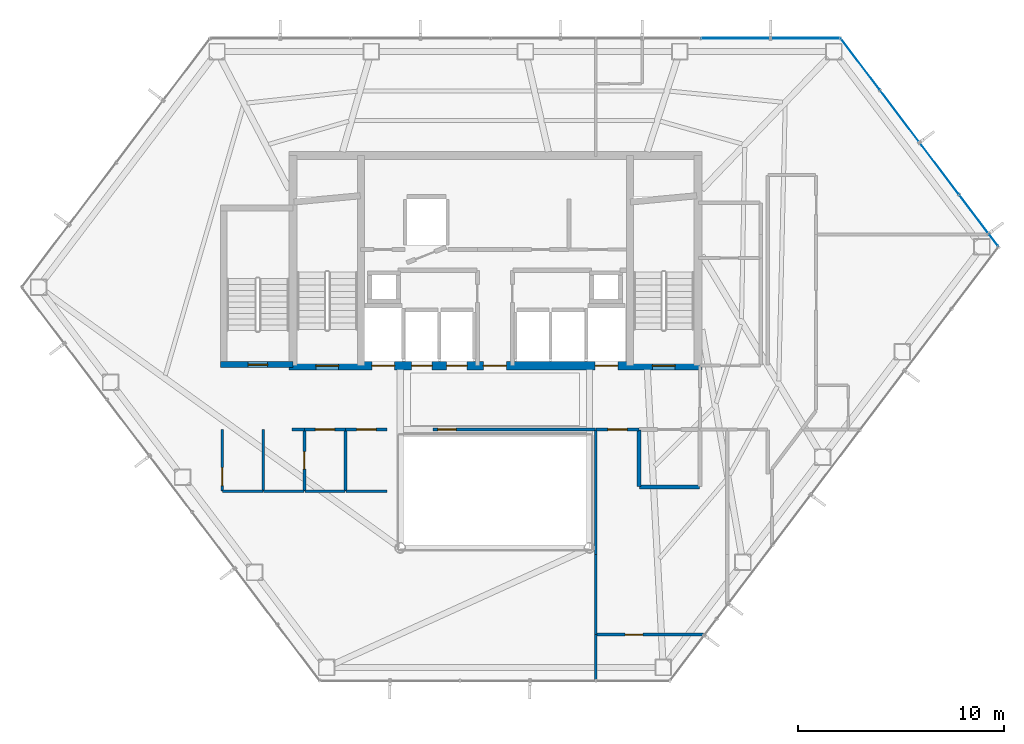
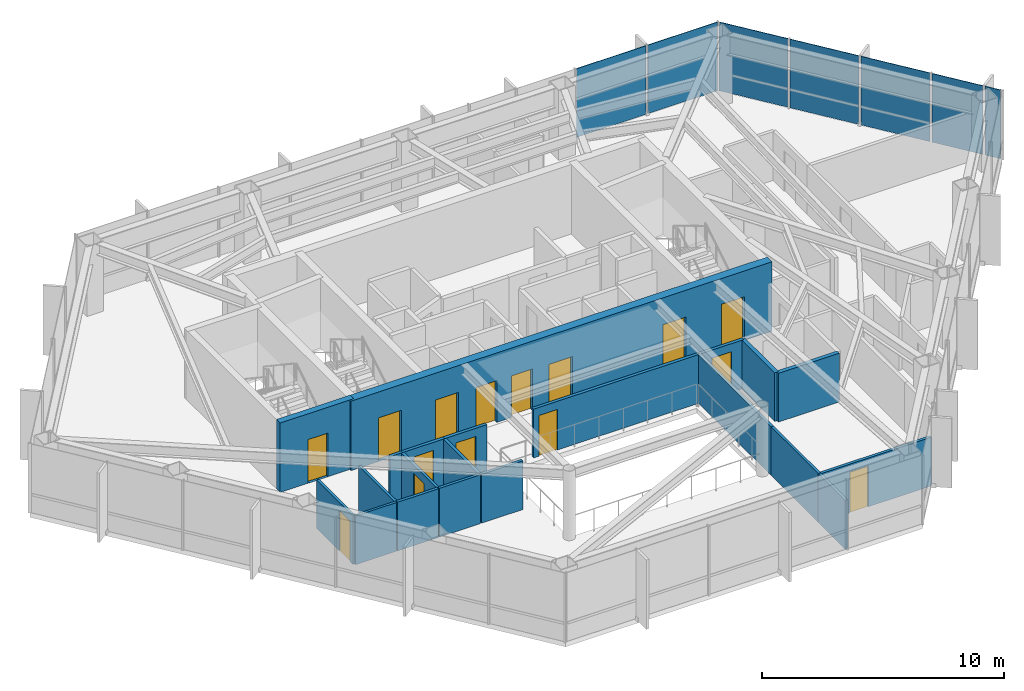
# One storey, part 25 of 29: 21 walls, 15 doors, 7 plates, 15 openings, 2 elements without a shape of their own.
"""IFC4 building model written with IfcOpenShell, lengths in metres."""

from ifc_helpers import new_model, si_unit, direction, frame, frame_2d, origin, origin_2d, place, context, subcontext, project, spatial, rectangle, extrude, material, layer, layer_set, type_object, element, fill, aggregate, save


model = new_model("IFC4")

# Units and contexts
model_context = context("Model", 3, precision=1e-05, world=origin(), true_north=direction((0.0, 1.0)))
body_context = subcontext(model_context, "Body", "Model", "MODEL_VIEW")
ifc_project = project(units=[si_unit("LENGTHUNIT", "METRE"), si_unit("AREAUNIT", "SQUARE_METRE"), si_unit("VOLUMEUNIT", "CUBIC_METRE"), si_unit("PLANEANGLEUNIT", "RADIAN"), si_unit("MASSUNIT", "GRAM", prefix="KILO")], contexts=[model_context])

# Site, building, storey
site_placement = place(None, origin())
site = spatial("IfcSite", under=ifc_project, at=site_placement, CompositionType="ELEMENT")
building_placement = place(site_placement, origin())
building = spatial("IfcBuilding", under=site, at=building_placement, Name="Zarrinselat Tower", CompositionType="ELEMENT")
storey_placement = place(building_placement, frame((0.0, 0.0, 134.639892578125)))
storey = spatial("IfcBuildingStorey", under=building, at=storey_placement, Name="L32", CompositionType="ELEMENT", Elevation=134.639892578125)

# Curtain wall, plates
ifc_material_1 = material(Name="Extruded Aluminium Alloy EN AW-6063 T6", Category="aluminium")
ifc_layer_1 = layer(ifc_material_1, 0.175048828125)
ifc_layer_set_1 = layer_set([ifc_layer_1], Name="Extruded Aluminium Alloy EN AW-6063 T6")
curtain_wall_type = type_object("IfcCurtainWallType", Name="CWS-HTL", PredefinedType="NOTDEFINED", material=ifc_layer_set_1)
curtain_wall_1_placement = place(storey_placement, origin())
curtain_wall_1 = element("IfcCurtainWall", 1, at=curtain_wall_1_placement, inside=storey, type_object=curtain_wall_type, Name="L32 Unitised Curtain Wall CW-L32-E01", PredefinedType="NOTDEFINED")
ifc_material_2 = material(Name="Double Low-E Laminated Solar Glass", Category="glass")
ifc_layer_2 = layer(ifc_material_2, 0.028076171875)
ifc_layer_set_2 = layer_set([ifc_layer_2], Name="Double Low-E Laminated Solar Glass")
plate_type = type_object("IfcPlateType", Name="PLT-CW-GL28", PredefinedType="CURTAIN_PANEL", material=ifc_layer_set_2)
plate_1_placement = place(storey_placement, frame((53.487548828125, 49.14990234375, 0.02001953125), z_axis=(0.0, 0.0, 1.0), x_axis=(-1.0, 0.0, 0.0)))
plate_1 = element("IfcPlate", 2, at=plate_1_placement, type_object=plate_type, Name="CW-L32-E01 Vision Glass Panel 1", PredefinedType="CURTAIN_PANEL", context=body_context, shape_type="SweptSolid", body=[
    extrude(rectangle(XDim=3.30078125, YDim=0.028076171875, at=origin_2d()), origin(), (0.0, 0.0, 1.0), 3.4599609375),
])
plate_2_placement = place(storey_placement, frame((50.0869140625, 49.14990234375, 0.02001953125), z_axis=(0.0, 0.0, 1.0), x_axis=(-1.0, 0.0, 0.0)))
plate_2 = element("IfcPlate", 3, at=plate_2_placement, type_object=plate_type, Name="CW-L32-E01 Vision Glass Panel 2", PredefinedType="CURTAIN_PANEL", context=body_context, shape_type="SweptSolid", body=[
    extrude(rectangle(XDim=3.30078125, YDim=0.028076171875, at=origin_2d()), origin(), (0.0, 0.0, 1.0), 3.4599609375),
])
aggregate(curtain_wall_1, [plate_1, plate_2])

curtain_wall_2_placement = place(storey_placement, origin())
curtain_wall_2 = element("IfcCurtainWall", 4, at=curtain_wall_2_placement, inside=storey, type_object=curtain_wall_type, Name="L32 Unitised Curtain Wall CW-L32-E06", PredefinedType="NOTDEFINED")
plate_3_placement = place(storey_placement, frame((62.62109375, 39.338134765625, 0.02001953125), z_axis=(0.0, 0.0, 1.0), x_axis=(-0.60385935447, 0.79709088567, 0.0)))
plate_3 = element("IfcPlate", 5, at=plate_3_placement, type_object=plate_type, Name="CW-L32-E06 Vision Glass Panel 1", PredefinedType="CURTAIN_PANEL", context=body_context, shape_type="SweptSolid", body=[
    extrude(rectangle(XDim=0.697998046875, YDim=0.028076171875, at=origin_2d()), origin(), (0.0, 0.0, 1.0), 3.4599609375),
])
plate_4_placement = place(storey_placement, frame((61.662109375, 40.6044921875, 0.02001953125), z_axis=(0.0, 0.0, 1.0), x_axis=(-0.60385935447, 0.79709088567, 0.0)))
plate_4 = element("IfcPlate", 6, at=plate_4_placement, type_object=plate_type, Name="CW-L32-E06 Vision Glass Panel 2", PredefinedType="CURTAIN_PANEL", context=body_context, shape_type="SweptSolid", body=[
    extrude(rectangle(XDim=2.279052734375, YDim=0.028076171875, at=origin_2d()), origin(), (0.0, 0.0, 1.0), 3.4599609375),
])
plate_5_placement = place(storey_placement, frame((59.984375, 42.81884765625, 0.02001953125), z_axis=(0.0, 0.0, 1.0), x_axis=(-0.60385935447, 0.79709088567, 0.0)))
plate_5 = element("IfcPlate", 7, at=plate_5_placement, type_object=plate_type, Name="CW-L32-E06 Vision Glass Panel 3", PredefinedType="CURTAIN_PANEL", context=body_context, shape_type="SweptSolid", body=[
    extrude(rectangle(XDim=3.0771484375, YDim=0.028076171875, at=origin_2d()), origin(), (0.0, 0.0, 1.0), 3.4599609375),
])
plate_6_placement = place(storey_placement, frame((58.06591796875, 45.351318359375, 0.02001953125), z_axis=(0.0, 0.0, 1.0), x_axis=(-0.60385935447, 0.79709088567, 0.0)))
plate_6 = element("IfcPlate", 8, at=plate_6_placement, type_object=plate_type, Name="CW-L32-E06 Vision Glass Panel 4", PredefinedType="CURTAIN_PANEL", context=body_context, shape_type="SweptSolid", body=[
    extrude(rectangle(XDim=3.0771484375, YDim=0.028076171875, at=origin_2d()), origin(), (0.0, 0.0, 1.0), 3.4599609375),
])
plate_7_placement = place(storey_placement, frame((56.147216796875, 47.8837890625, 0.02001953125), z_axis=(0.0, 0.0, 1.0), x_axis=(-0.60385935447, 0.79709088567, 0.0)))
plate_7 = element("IfcPlate", 9, at=plate_7_placement, type_object=plate_type, Name="CW-L32-E06 Vision Glass Panel 5", PredefinedType="CURTAIN_PANEL", context=body_context, shape_type="SweptSolid", body=[
    extrude(rectangle(XDim=3.0771484375, YDim=0.028076171875, at=origin_2d()), origin(), (0.0, 0.0, 1.0), 3.4599609375),
])
aggregate(curtain_wall_2, [plate_3, plate_4, plate_5, plate_6, plate_7])

# Walls
ifc_material_3 = material(Name="Concrete C40/50", Category="concrete")
ifc_layer_3 = layer(ifc_material_3, 0.18994140625)
ifc_layer_set_3 = layer_set([ifc_layer_3], Name="Concrete C40/50")
wall_type_1 = type_object("IfcWallType", Name="WAL-PART-EI120", PredefinedType="PARTITIONING", material=ifc_layer_set_3)
wall_1_placement = place(storey_placement, frame((45.419921875, 27.35009765625, 0.0), z_axis=(0.0, 0.0, 1.0), x_axis=(1.0, 0.0, 0.0)))
element("IfcWall", 10, at=wall_1_placement, inside=storey, type_object=wall_type_1, Name="L32 Partition Wall 19", PredefinedType="PARTITIONING", context=body_context, shape_type="SweptSolid", body=[
    extrude(rectangle(XDim=2.91015625, YDim=0.18994140625, at=frame_2d((1.455078125, 0.0))), origin(), (0.0, 0.0, 1.0), 2.45703125),
])
wall_2_placement = place(storey_placement, frame((45.39990234375, 27.3701171875, 0.0), z_axis=(0.0, 0.0, 1.0), x_axis=(0.0, 1.0, 0.0)))
element("IfcWall", 11, at=wall_2_placement, inside=storey, type_object=wall_type_1, Name="L32 Partition Wall 20", PredefinedType="PARTITIONING", context=body_context, shape_type="SweptSolid", body=[
    extrude(rectangle(XDim=2.759765625, YDim=0.18994140625, at=frame_2d((1.3798828125, 0.0))), origin(), (0.0, 0.0, 1.0), 2.45703125),
])
ifc_material_4 = material(Name="Fire-Rated Gypsum Board Partition", Category="gypsum")
ifc_layer_4 = layer(ifc_material_4, 0.14990234375)
ifc_layer_set_4 = layer_set([ifc_layer_4], Name="Fire-Rated Gypsum Board Partition")
wall_type_2 = type_object("IfcWallType", Name="WAL-PART-EI60", PredefinedType="PARTITIONING", material=ifc_layer_set_4)
wall_3_placement = place(storey_placement, frame((28.550048828125, 30.14990234375, 0.0), z_axis=(0.0, 0.0, 1.0), x_axis=(1.0, 0.0, 0.0)))
element("IfcWall", 12, at=wall_3_placement, inside=storey, type_object=wall_type_2, Name="L32 Partition Wall 14", PredefinedType="PARTITIONING", context=body_context, shape_type="SweptSolid", body=[
    extrude(rectangle(XDim=0.594970703125, YDim=0.14990234375, at=frame_2d((0.29736328125, 0.0))), origin(), (0.0, 0.0, 1.0), 2.45703125),
])

# Wall, opening, door
wall_4_placement = place(storey_placement, frame((29.155029296875, 30.14990234375, 0.0), z_axis=(0.0, 0.0, 1.0), x_axis=(1.0, 0.0, 0.0)))
wall_4 = element("IfcWall", 13, at=wall_4_placement, inside=storey, type_object=wall_type_2, Name="L32 Partition Wall 15", PredefinedType="PARTITIONING", context=body_context, shape_type="SweptSolid", body=[
    extrude(rectangle(XDim=1.989990234375, YDim=0.14990234375, at=frame_2d((0.9951171875, 0.0))), origin(), (0.0, 0.0, 1.0), 2.45703125),
])
opening_1_placement = place(wall_4_placement, frame((0.52490234375, 0.0, 0.0)))
opening_1 = element("IfcOpeningElement", 14, at=opening_1_placement, cuts=wall_4, Name="Opening ID-04", PredefinedType="OPENING", context=body_context, shape_type="SweptSolid", body=[
    extrude(rectangle(XDim=0.93994140625, YDim=2.050048828125, at=frame_2d((0.469970703125, 1.02490234375))), frame((0.0, 0.0849609375, 0.0), z_axis=(0.0, -1.0, 0.0), x_axis=(1.0, 0.0, 0.0)), (0.0, 0.0, 1.0), 0.169921875),
])
ifc_material_5 = material(Name="Fire-Rated Gypsum Board Partition")
door_type_1 = type_object("IfcDoorType", Name="DR-INT-FD30-ENT", OperationType="NOTDEFINED", PredefinedType="DOOR", material=ifc_material_5)
door_1_placement = place(opening_1_placement, origin())
door_1 = element("IfcDoor", 15, at=door_1_placement, inside=storey, type_object=door_type_1, Name="L32 Interior Door P15", OperationType="SINGLE_SWING_RIGHT", OverallHeight=2.050048828125, OverallWidth=0.93994140625, PredefinedType="DOOR", context=body_context, shape_type="SweptSolid", body=[
    extrude(rectangle(XDim=0.93994140625, YDim=2.050048828125, at=frame_2d((0.469970703125, 1.02490234375))), frame((0.0, 0.02490234375, 0.0), z_axis=(0.0, -1.0, 0.0), x_axis=(1.0, 0.0, 0.0)), (0.0, 0.0, 1.0), 0.050048828125),
])
fill(opening_1, door_1)

wall_5_placement = place(storey_placement, frame((31.155029296875, 30.14990234375, 0.0), z_axis=(0.0, 0.0, 1.0), x_axis=(1.0, 0.0, 0.0)))
wall_5 = element("IfcWall", 16, at=wall_5_placement, inside=storey, type_object=wall_type_2, Name="L32 Partition Wall 16", PredefinedType="PARTITIONING", context=body_context, shape_type="SweptSolid", body=[
    extrude(rectangle(XDim=2.010009765625, YDim=0.14990234375, at=frame_2d((1.0048828125, 0.0))), origin(), (0.0, 0.0, 1.0), 2.45703125),
])
opening_2_placement = place(wall_5_placement, frame((0.534912109375, 0.0, 0.0)))
opening_2 = element("IfcOpeningElement", 17, at=opening_2_placement, cuts=wall_5, Name="Opening ID-04", PredefinedType="OPENING", context=body_context, shape_type="SweptSolid", body=[
    extrude(rectangle(XDim=0.93994140625, YDim=2.050048828125, at=frame_2d((0.469970703125, 1.02490234375))), frame((0.0, 0.0849609375, 0.0), z_axis=(0.0, -1.0, 0.0), x_axis=(1.0, 0.0, 0.0)), (0.0, 0.0, 1.0), 0.169921875),
])
door_2_placement = place(opening_2_placement, origin())
door_2 = element("IfcDoor", 18, at=door_2_placement, inside=storey, type_object=door_type_1, Name="L32 Interior Door P16", OperationType="SINGLE_SWING_LEFT", OverallHeight=2.050048828125, OverallWidth=0.93994140625, PredefinedType="DOOR", context=body_context, shape_type="SweptSolid", body=[
    extrude(rectangle(XDim=0.93994140625, YDim=2.050048828125, at=frame_2d((0.469970703125, 1.02490234375))), frame((0.0, 0.02490234375, 0.0), z_axis=(0.0, -1.0, 0.0), x_axis=(1.0, 0.0, 0.0)), (0.0, 0.0, 1.0), 0.050048828125),
])
fill(opening_2, door_2)

wall_6_placement = place(storey_placement, frame((35.385009765625, 30.14990234375, 0.0), z_axis=(0.0, 0.0, 1.0), x_axis=(1.0, 0.0, 0.0)))
wall_6 = element("IfcWall", 19, at=wall_6_placement, inside=storey, type_object=wall_type_2, Name="L32 Partition Wall 17", PredefinedType="PARTITIONING", context=body_context, shape_type="SweptSolid", body=[
    extrude(rectangle(XDim=7.909912109375, YDim=0.14990234375, at=frame_2d((3.955078125, 0.0))), origin(), (0.0, 0.0, 1.0), 2.45703125),
])
opening_3_placement = place(wall_6_placement, frame((0.25, 0.0, 0.0)))
opening_3 = element("IfcOpeningElement", 20, at=opening_3_placement, cuts=wall_6, Name="Opening ID-03", PredefinedType="OPENING", context=body_context, shape_type="SweptSolid", body=[
    extrude(rectangle(XDim=0.8798828125, YDim=2.050048828125, at=frame_2d((0.43994140625, 1.02490234375))), frame((0.0, 0.0849609375, 0.0), z_axis=(0.0, -1.0, 0.0), x_axis=(1.0, 0.0, 0.0)), (0.0, 0.0, 1.0), 0.169921875),
])
ifc_material_6 = material(Name="Steel S355J2", Category="steel")
door_type_2 = type_object("IfcDoorType", Name="DR-INT-FD60-S", OperationType="NOTDEFINED", PredefinedType="DOOR", material=ifc_material_6)
door_3_placement = place(opening_3_placement, origin())
door_3 = element("IfcDoor", 21, at=door_3_placement, inside=storey, type_object=door_type_2, Name="L32 Interior Door P17", OperationType="SINGLE_SWING_RIGHT", OverallHeight=2.050048828125, OverallWidth=0.8798828125, PredefinedType="DOOR", context=body_context, shape_type="SweptSolid", body=[
    extrude(rectangle(XDim=0.8798828125, YDim=2.050048828125, at=frame_2d((0.43994140625, 1.02490234375))), frame((0.0, 0.02490234375, 0.0), z_axis=(0.0, -1.0, 0.0), x_axis=(1.0, 0.0, 0.0)), (0.0, 0.0, 1.0), 0.050048828125),
])
fill(opening_3, door_3)

wall_7_placement = place(storey_placement, frame((43.304931640625, 30.14990234375, 0.0), z_axis=(0.0, 0.0, 1.0), x_axis=(1.0, 0.0, 0.0)))
wall_7 = element("IfcWall", 22, at=wall_7_placement, inside=storey, type_object=wall_type_2, Name="L32 Partition Wall 18", PredefinedType="PARTITIONING", context=body_context, shape_type="SweptSolid", body=[
    extrude(rectangle(XDim=2.090087890625, YDim=0.14990234375, at=frame_2d((1.044921875, 0.0))), origin(), (0.0, 0.0, 1.0), 2.45703125),
])
opening_4_placement = place(wall_7_placement, frame((0.574951171875, 0.0, 0.0)))
opening_4 = element("IfcOpeningElement", 23, at=opening_4_placement, cuts=wall_7, Name="Opening ID-04", PredefinedType="OPENING", context=body_context, shape_type="SweptSolid", body=[
    extrude(rectangle(XDim=0.93994140625, YDim=2.050048828125, at=frame_2d((0.469970703125, 1.02490234375))), frame((0.0, 0.0849609375, 0.0), z_axis=(0.0, -1.0, 0.0), x_axis=(1.0, 0.0, 0.0)), (0.0, 0.0, 1.0), 0.169921875),
])
door_4_placement = place(opening_4_placement, origin())
door_4 = element("IfcDoor", 24, at=door_4_placement, inside=storey, type_object=door_type_1, Name="L32 Interior Door P18", OperationType="SINGLE_SWING_LEFT", OverallHeight=2.050048828125, OverallWidth=0.93994140625, PredefinedType="DOOR", context=body_context, shape_type="SweptSolid", body=[
    extrude(rectangle(XDim=0.93994140625, YDim=2.050048828125, at=frame_2d((0.469970703125, 1.02490234375))), frame((0.0, 0.02490234375, 0.0), z_axis=(0.0, -1.0, 0.0), x_axis=(1.0, 0.0, 0.0)), (0.0, 0.0, 1.0), 0.050048828125),
])
fill(opening_4, door_4)

# Wall
ifc_material_7 = material(Name="Fire-Rated Gypsum Board Partition", Category="gypsum")
ifc_layer_5 = layer(ifc_material_7, 0.1201171875)
ifc_layer_set_5 = layer_set([ifc_layer_5], Name="Fire-Rated Gypsum Board Partition")
wall_type_3 = type_object("IfcWallType", Name="WAL-PART-STD", PredefinedType="PARTITIONING", material=ifc_layer_set_5)
wall_8_placement = place(storey_placement, frame((25.169921875, 27.14990234375, 0.0), z_axis=(0.0, 0.0, 1.0), x_axis=(1.0, 0.0, 0.0)))
element("IfcWall", 25, at=wall_8_placement, inside=storey, type_object=wall_type_3, Name="L32 Partition Wall 35", PredefinedType="PARTITIONING", context=body_context, shape_type="SweptSolid", body=[
    extrude(rectangle(XDim=1.9599609375, YDim=0.1201171875, at=frame_2d((0.97998046875, 0.0))), origin(), (0.0, 0.0, 1.0), 2.45703125),
])

# Wall, opening, door
wall_9_placement = place(storey_placement, frame((25.14990234375, 27.169921875, 0.0), z_axis=(0.0, 0.0, 1.0), x_axis=(0.0, 1.0, 0.0)))
wall_9 = element("IfcWall", 26, at=wall_9_placement, inside=storey, type_object=wall_type_3, Name="L32 Partition Wall 36", PredefinedType="PARTITIONING", context=body_context, shape_type="SweptSolid", body=[
    extrude(rectangle(XDim=2.97998046875, YDim=0.1201171875, at=frame_2d((1.489990234375, 0.0))), origin(), (0.0, 0.0, 1.0), 2.45703125),
])
opening_5_placement = place(wall_9_placement, frame((0.25, 0.0, 0.0)))
opening_5 = element("IfcOpeningElement", 27, at=opening_5_placement, cuts=wall_9, Name="Opening ID-03", PredefinedType="OPENING", context=body_context, shape_type="SweptSolid", body=[
    extrude(rectangle(XDim=0.8798828125, YDim=2.050048828125, at=frame_2d((0.43994140625, 1.02490234375))), frame((0.0, 0.070068359375, 0.0), z_axis=(0.0, -1.0, 0.0), x_axis=(1.0, 0.0, 0.0)), (0.0, 0.0, 1.0), 0.14013671875),
])
door_5_placement = place(opening_5_placement, origin())
door_5 = element("IfcDoor", 28, at=door_5_placement, inside=storey, type_object=door_type_2, Name="L32 Interior Door P36", OperationType="SINGLE_SWING_RIGHT", OverallHeight=2.050048828125, OverallWidth=0.8798828125, PredefinedType="DOOR", context=body_context, shape_type="SweptSolid", body=[
    extrude(rectangle(XDim=0.8798828125, YDim=2.050048828125, at=frame_2d((0.43994140625, 1.02490234375))), frame((0.0, 0.02490234375, 0.0), z_axis=(0.0, -1.0, 0.0), x_axis=(1.0, 0.0, 0.0)), (0.0, 0.0, 1.0), 0.050048828125),
])
fill(opening_5, door_5)

# Walls
wall_10_placement = place(storey_placement, frame((43.300048828125, 24.077880859375, 0.0), z_axis=(0.0, 0.0, 1.0), x_axis=(0.0, 1.0, 0.0)))
element("IfcWall", 29, at=wall_10_placement, inside=storey, type_object=wall_type_3, Name="L32 Partition Wall 42", PredefinedType="PARTITIONING", context=body_context, shape_type="SweptSolid", body=[
    extrude(rectangle(XDim=6.052001953125, YDim=0.1201171875, at=frame_2d((3.02587890625, 0.0))), origin(), (0.0, 0.0, 1.0), 2.45703125),
])
wall_11_placement = place(storey_placement, frame((43.300048828125, 20.19677734375, 0.0), z_axis=(0.0, 0.0, 1.0), x_axis=(0.0, 1.0, 0.0)))
element("IfcWall", 30, at=wall_11_placement, inside=storey, type_object=wall_type_3, Name="L32 Partition Wall 43", PredefinedType="PARTITIONING", context=body_context, shape_type="SweptSolid", body=[
    extrude(rectangle(XDim=3.881103515625, YDim=0.1201171875, at=frame_2d((1.9404296875, 0.0))), origin(), (0.0, 0.0, 1.0), 2.45703125),
])
ifc_material_8 = material(Name="Fire-Rated Gypsum Board Partition", Category="gypsum")
ifc_layer_6 = layer(ifc_material_8, 0.135009765625)
ifc_layer_set_6 = layer_set([ifc_layer_6], Name="Fire-Rated Gypsum Board Partition")
wall_type_4 = type_object("IfcWallType", Name="WAL-PART-WET", PredefinedType="PARTITIONING", material=ifc_layer_set_6)
wall_12_placement = place(storey_placement, frame((27.14990234375, 27.169921875, 0.0), z_axis=(0.0, 0.0, 1.0), x_axis=(0.0, 1.0, 0.0)))
element("IfcWall", 31, at=wall_12_placement, inside=storey, type_object=wall_type_4, Name="L32 Partition Wall 34", PredefinedType="PARTITIONING", context=body_context, shape_type="SweptSolid", body=[
    extrude(rectangle(XDim=2.97998046875, YDim=0.135009765625, at=frame_2d((1.489990234375, 0.0))), origin(), (0.0, 0.0, 1.0), 2.45703125),
])

# Wall, opening, door
wall_13_placement = place(storey_placement, frame((29.14990234375, 27.169921875, 0.0), z_axis=(0.0, 0.0, 1.0), x_axis=(0.0, 1.0, 0.0)))
wall_13 = element("IfcWall", 32, at=wall_13_placement, inside=storey, type_object=wall_type_4, Name="L32 Partition Wall 37", PredefinedType="PARTITIONING", context=body_context, shape_type="SweptSolid", body=[
    extrude(rectangle(XDim=2.9599609375, YDim=0.135009765625, at=frame_2d((1.47998046875, 0.0))), origin(), (0.0, 0.0, 1.0), 2.45703125),
])
opening_6_placement = place(wall_13_placement, frame((1.050048828125, 0.0, 0.0)))
opening_6 = element("IfcOpeningElement", 33, at=opening_6_placement, cuts=wall_13, Name="Opening ID-06", PredefinedType="OPENING", context=body_context, shape_type="SweptSolid", body=[
    extrude(rectangle(XDim=0.860107421875, YDim=2.050048828125, at=frame_2d((0.43017578125, 1.02490234375))), frame((0.0, 0.077392578125, 0.0), z_axis=(0.0, -1.0, 0.0), x_axis=(1.0, 0.0, 0.0)), (0.0, 0.0, 1.0), 0.155029296875),
])
ifc_material_9 = material(Name="Extruded Aluminium Alloy EN AW-6063 T6", Category="aluminium")
door_type_3 = type_object("IfcDoorType", Name="DR-INT-WET-900", OperationType="NOTDEFINED", PredefinedType="DOOR", material=ifc_material_9)
door_6_placement = place(opening_6_placement, origin())
door_6 = element("IfcDoor", 34, at=door_6_placement, inside=storey, type_object=door_type_3, Name="L32 Interior Door P37", OperationType="SINGLE_SWING_LEFT", OverallHeight=2.050048828125, OverallWidth=0.860107421875, PredefinedType="DOOR", context=body_context, shape_type="SweptSolid", body=[
    extrude(rectangle(XDim=0.860107421875, YDim=2.050048828125, at=frame_2d((0.43017578125, 1.02490234375))), frame((0.0, 0.02490234375, 0.0), z_axis=(0.0, -1.0, 0.0), x_axis=(1.0, 0.0, 0.0)), (0.0, 0.0, 1.0), 0.050048828125),
])
fill(opening_6, door_6)

# Walls
wall_14_placement = place(storey_placement, frame((27.169921875, 27.14990234375, 0.0), z_axis=(0.0, 0.0, 1.0), x_axis=(1.0, 0.0, 0.0)))
element("IfcWall", 35, at=wall_14_placement, inside=storey, type_object=wall_type_4, Name="L32 Partition Wall 38", PredefinedType="PARTITIONING", context=body_context, shape_type="SweptSolid", body=[
    extrude(rectangle(XDim=1.9599609375, YDim=0.135009765625, at=frame_2d((0.97998046875, 0.0))), origin(), (0.0, 0.0, 1.0), 2.45703125),
])
wall_15_placement = place(storey_placement, frame((31.14990234375, 27.169921875, 0.0), z_axis=(0.0, 0.0, 1.0), x_axis=(0.0, 1.0, 0.0)))
element("IfcWall", 36, at=wall_15_placement, inside=storey, type_object=wall_type_4, Name="L32 Partition Wall 39", PredefinedType="PARTITIONING", context=body_context, shape_type="SweptSolid", body=[
    extrude(rectangle(XDim=2.9599609375, YDim=0.135009765625, at=frame_2d((1.47998046875, 0.0))), origin(), (0.0, 0.0, 1.0), 2.45703125),
])
wall_16_placement = place(storey_placement, frame((29.169921875, 27.14990234375, 0.0), z_axis=(0.0, 0.0, 1.0), x_axis=(1.0, 0.0, 0.0)))
element("IfcWall", 37, at=wall_16_placement, inside=storey, type_object=wall_type_4, Name="L32 Partition Wall 40", PredefinedType="PARTITIONING", context=body_context, shape_type="SweptSolid", body=[
    extrude(rectangle(XDim=1.9599609375, YDim=0.135009765625, at=frame_2d((0.97998046875, 0.0))), origin(), (0.0, 0.0, 1.0), 2.45703125),
])
wall_17_placement = place(storey_placement, frame((31.169921875, 27.14990234375, 0.0), z_axis=(0.0, 0.0, 1.0), x_axis=(1.0, 0.0, 0.0)))
element("IfcWall", 38, at=wall_17_placement, inside=storey, type_object=wall_type_4, Name="L32 Partition Wall 41", PredefinedType="PARTITIONING", context=body_context, shape_type="SweptSolid", body=[
    extrude(rectangle(XDim=1.97998046875, YDim=0.135009765625, at=frame_2d((0.989990234375, 0.0))), origin(), (0.0, 0.0, 1.0), 2.45703125),
])
wall_18_placement = place(storey_placement, frame((43.300048828125, 17.960693359375, 0.0), z_axis=(0.0, 0.0, 1.0), x_axis=(0.0, 1.0, 0.0)))
element("IfcWall", 39, at=wall_18_placement, inside=storey, type_object=wall_type_4, Name="L32 Partition Wall 44", PredefinedType="PARTITIONING", context=body_context, shape_type="SweptSolid", body=[
    extrude(rectangle(XDim=2.22607421875, YDim=0.135009765625, at=frame_2d((1.113037109375, 0.0))), origin(), (0.0, 0.0, 1.0), 2.45703125),
])

# Wall, opening, door
wall_19_placement = place(storey_placement, frame((43.320068359375, 20.19189453125, 0.0), z_axis=(0.0, 0.0, 1.0), x_axis=(1.0, 0.0, 0.0)))
wall_19 = element("IfcWall", 40, at=wall_19_placement, inside=storey, type_object=wall_type_4, Name="L32 Partition Wall 47", PredefinedType="PARTITIONING", context=body_context, shape_type="SweptSolid", body=[
    extrude(rectangle(XDim=5.263427734375, YDim=0.135009765625, at=frame_2d((2.6318359375, 0.0))), origin(), (0.0, 0.0, 1.0), 2.45703125),
])
opening_7_placement = place(wall_19_placement, frame((1.401611328125, 0.0, 0.0)))
opening_7 = element("IfcOpeningElement", 41, at=opening_7_placement, cuts=wall_19, Name="Opening ID-06", PredefinedType="OPENING", context=body_context, shape_type="SweptSolid", body=[
    extrude(rectangle(XDim=0.860107421875, YDim=2.050048828125, at=frame_2d((0.43017578125, 1.02490234375))), frame((0.0, 0.077392578125, 0.0), z_axis=(0.0, -1.0, 0.0), x_axis=(1.0, 0.0, 0.0)), (0.0, 0.0, 1.0), 0.155029296875),
])
door_7_placement = place(opening_7_placement, origin())
door_7 = element("IfcDoor", 42, at=door_7_placement, inside=storey, type_object=door_type_3, Name="L32 Interior Door P47", OperationType="SINGLE_SWING_RIGHT", OverallHeight=2.050048828125, OverallWidth=0.860107421875, PredefinedType="DOOR", context=body_context, shape_type="SweptSolid", body=[
    extrude(rectangle(XDim=0.860107421875, YDim=2.050048828125, at=frame_2d((0.43017578125, 1.02490234375))), frame((0.0, 0.02490234375, 0.0), z_axis=(0.0, -1.0, 0.0), x_axis=(1.0, 0.0, 0.0)), (0.0, 0.0, 1.0), 0.050048828125),
])
fill(opening_7, door_7)

ifc_material_10 = material(Name="Concrete C40/50", Category="concrete")
ifc_layer_7 = layer(ifc_material_10, 0.300048828125)
ifc_layer_set_7 = layer_set([ifc_layer_7], Name="Concrete C40/50")
wall_type_5 = type_object("IfcWallType", Name="WAL-SHEAR-300", PredefinedType="SHEAR", material=ifc_layer_set_7)
wall_20_placement = place(storey_placement, frame((25.080078125, 33.300048828125, 0.0), z_axis=(0.0, 0.0, 1.0), x_axis=(1.0, 0.0, 0.0)))
wall_20 = element("IfcWall", 43, at=wall_20_placement, inside=storey, type_object=wall_type_5, Name="L32 Stair 3 South Shear Wall", PredefinedType="SHEAR", context=body_context, shape_type="SweptSolid", body=[
    extrude(rectangle(XDim=3.52001953125, YDim=0.300048828125, at=frame_2d((1.760009765625, 0.0))), origin(), (0.0, 0.0, 1.0), 3.5),
])
opening_8_placement = place(wall_20_placement, frame((1.3349609375, 0.0, 0.0)))
opening_8 = element("IfcOpeningElement", 44, at=opening_8_placement, cuts=wall_20, Name="Opening SD-02", PredefinedType="OPENING", context=body_context, shape_type="SweptSolid", body=[
    extrude(rectangle(XDim=0.949951171875, YDim=2.199951171875, at=frame_2d((0.47509765625, 1.10009765625))), frame((0.0, 0.159912109375, 0.0), z_axis=(0.0, -1.0, 0.0), x_axis=(1.0, 0.0, 0.0)), (0.0, 0.0, 1.0), 0.320068359375),
])
ifc_material_11 = material(Name="Steel S355J2", Category="steel")
door_type_4 = type_object("IfcDoorType", Name="DR-STAIR-1050", OperationType="NOTDEFINED", PredefinedType="DOOR", material=ifc_material_11)
door_8_placement = place(opening_8_placement, origin())
door_8 = element("IfcDoor", 45, at=door_8_placement, inside=storey, type_object=door_type_4, Name="L32 Exit Stair 3 Fire Door", OperationType="SINGLE_SWING_LEFT", OverallHeight=2.199951171875, OverallWidth=0.949951171875, PredefinedType="DOOR", context=body_context, shape_type="SweptSolid", body=[
    extrude(rectangle(XDim=0.949951171875, YDim=2.199951171875, at=frame_2d((0.47509765625, 1.10009765625))), frame((0.0, 0.02490234375, 0.0), z_axis=(0.0, -1.0, 0.0), x_axis=(1.0, 0.0, 0.0)), (0.0, 0.0, 1.0), 0.050048828125),
])
fill(opening_8, door_8)

# Wall, openings, doors
ifc_material_12 = material(Name="Concrete C60/75", Category="concrete")
ifc_layer_8 = layer(ifc_material_12, 0.39990234375)
ifc_layer_set_8 = layer_set([ifc_layer_8], Name="Concrete C60/75")
wall_type_6 = type_object("IfcWallType", Name="WAL-SHEAR-400", PredefinedType="SHEAR", material=ifc_layer_set_8)
wall_21_placement = place(storey_placement, frame((28.39990234375, 33.25, 0.0), z_axis=(0.0, 0.0, 1.0), x_axis=(1.0, 0.0, 0.0)))
wall_21 = element("IfcWall", 46, at=wall_21_placement, inside=storey, type_object=wall_type_6, Name="L32 South Core Shear Wall", PredefinedType="SHEAR", context=body_context, shape_type="SweptSolid", body=[
    extrude(rectangle(XDim=20.06005859375, YDim=0.39990234375, at=frame_2d((10.030029296875, 0.0))), origin(), (0.0, 0.0, 1.0), 3.5),
])
opening_9_placement = place(wall_21_placement, frame((4.030029296875, 0.0, 0.0)))
opening_9 = element("IfcOpeningElement", 47, at=opening_9_placement, cuts=wall_21, Name="Opening LD-FFL1", PredefinedType="OPENING", context=body_context, shape_type="SweptSolid", body=[
    extrude(rectangle(XDim=1.10009765625, YDim=2.14990234375, at=frame_2d((0.550048828125, 1.074951171875))), frame((0.0, 0.2099609375, 0.0), z_axis=(0.0, -1.0, 0.0), x_axis=(1.0, 0.0, 0.0)), (0.0, 0.0, 1.0), 0.419921875),
])
opening_10_placement = place(wall_21_placement, frame((14.8701171875, 0.0, 0.0)))
opening_10 = element("IfcOpeningElement", 48, at=opening_10_placement, cuts=wall_21, Name="Opening LD-FFL2", PredefinedType="OPENING", context=body_context, shape_type="SweptSolid", body=[
    extrude(rectangle(XDim=1.10009765625, YDim=2.14990234375, at=frame_2d((0.550048828125, 1.074951171875))), frame((0.0, 0.2099609375, 0.0), z_axis=(0.0, -1.0, 0.0), x_axis=(1.0, 0.0, 0.0)), (0.0, 0.0, 1.0), 0.419921875),
])
opening_11_placement = place(wall_21_placement, frame((5.949951171875, 0.0, 0.0)))
opening_11 = element("IfcOpeningElement", 49, at=opening_11_placement, cuts=wall_21, Name="Opening LD-PL5", PredefinedType="OPENING", context=body_context, shape_type="SweptSolid", body=[
    extrude(rectangle(XDim=1.0, YDim=2.10009765625, at=frame_2d((0.5, 1.050048828125))), frame((0.0, 0.2099609375, 0.0), z_axis=(0.0, -1.0, 0.0), x_axis=(1.0, 0.0, 0.0)), (0.0, 0.0, 1.0), 0.419921875),
])
opening_12_placement = place(wall_21_placement, frame((7.64990234375, 0.0, 0.0)))
opening_12 = element("IfcOpeningElement", 50, at=opening_12_placement, cuts=wall_21, Name="Opening LD-PL6", PredefinedType="OPENING", context=body_context, shape_type="SweptSolid", body=[
    extrude(rectangle(XDim=1.0, YDim=2.10009765625, at=frame_2d((0.5, 1.050048828125))), frame((0.0, 0.2099609375, 0.0), z_axis=(0.0, -1.0, 0.0), x_axis=(1.0, 0.0, 0.0)), (0.0, 0.0, 1.0), 0.419921875),
])
opening_13_placement = place(wall_21_placement, frame((1.31005859375, 0.0, 0.0)))
opening_13 = element("IfcOpeningElement", 51, at=opening_13_placement, cuts=wall_21, Name="Opening SD-01", PredefinedType="OPENING", context=body_context, shape_type="SweptSolid", body=[
    extrude(rectangle(XDim=1.10009765625, YDim=2.199951171875, at=frame_2d((0.550048828125, 1.10009765625))), frame((0.0, 0.2099609375, 0.0), z_axis=(0.0, -1.0, 0.0), x_axis=(1.0, 0.0, 0.0)), (0.0, 0.0, 1.0), 0.419921875),
])
opening_14_placement = place(wall_21_placement, frame((9.43994140625, 0.0, 0.0)))
opening_14 = element("IfcOpeningElement", 52, at=opening_14_placement, cuts=wall_21, Name="Opening ID-02", PredefinedType="OPENING", context=body_context, shape_type="SweptSolid", body=[
    extrude(rectangle(XDim=1.1201171875, YDim=2.050048828125, at=frame_2d((0.56005859375, 1.02490234375))), frame((0.0, 0.2099609375, 0.0), z_axis=(0.0, -1.0, 0.0), x_axis=(1.0, 0.0, 0.0)), (0.0, 0.0, 1.0), 0.419921875),
])
opening_15_placement = place(wall_21_placement, frame((17.64990234375, 0.0, 0.0)))
opening_15 = element("IfcOpeningElement", 53, at=opening_15_placement, cuts=wall_21, Name="Opening SD-01", PredefinedType="OPENING", context=body_context, shape_type="SweptSolid", body=[
    extrude(rectangle(XDim=1.10009765625, YDim=2.199951171875, at=frame_2d((0.550048828125, 1.10009765625))), frame((0.0, 0.2099609375, 0.0), z_axis=(0.0, -1.0, 0.0), x_axis=(1.0, 0.0, 0.0)), (0.0, 0.0, 1.0), 0.419921875),
])
ifc_material_13 = material(Name="Steel S355J2", Category="steel")
door_type_5 = type_object("IfcDoorType", Name="DR-INT-FD60-W", OperationType="NOTDEFINED", PredefinedType="DOOR", material=ifc_material_13)
door_9_placement = place(opening_14_placement, origin())
door_9 = element("IfcDoor", 54, at=door_9_placement, inside=storey, type_object=door_type_5, Name="L32 Core Service Vestibule Fire Door", OperationType="SINGLE_SWING_RIGHT", OverallHeight=2.050048828125, OverallWidth=1.1201171875, PredefinedType="DOOR", context=body_context, shape_type="SweptSolid", body=[
    extrude(rectangle(XDim=1.1201171875, YDim=2.050048828125, at=frame_2d((0.56005859375, 1.02490234375))), frame((0.0, 0.02490234375, 0.0), z_axis=(0.0, -1.0, 0.0), x_axis=(1.0, 0.0, 0.0)), (0.0, 0.0, 1.0), 0.050048828125),
])
fill(opening_14, door_9)
ifc_material_14 = material(Name="Steel S355J2", Category="steel")
door_type_6 = type_object("IfcDoorType", Name="DR-LIFT-FF-1100", OperationType="NOTDEFINED", PredefinedType="DOOR", material=ifc_material_14)
door_10_placement = place(opening_9_placement, origin())
door_10 = element("IfcDoor", 55, at=door_10_placement, inside=storey, type_object=door_type_6, Name="L32 Lift FFL1 Sliding Landing Door", OperationType="SLIDING_TO_LEFT", OverallHeight=2.14990234375, OverallWidth=1.10009765625, PredefinedType="DOOR", context=body_context, shape_type="SweptSolid", body=[
    extrude(rectangle(XDim=1.10009765625, YDim=2.14990234375, at=frame_2d((0.550048828125, 1.074951171875))), frame((0.0, 0.02490234375, 0.0), z_axis=(0.0, -1.0, 0.0), x_axis=(1.0, 0.0, 0.0)), (0.0, 0.0, 1.0), 0.050048828125),
])
fill(opening_9, door_10)
door_11_placement = place(opening_10_placement, origin())
door_11 = element("IfcDoor", 56, at=door_11_placement, inside=storey, type_object=door_type_6, Name="L32 Lift FFL2 Sliding Landing Door", OperationType="SLIDING_TO_RIGHT", OverallHeight=2.14990234375, OverallWidth=1.10009765625, PredefinedType="DOOR", context=body_context, shape_type="SweptSolid", body=[
    extrude(rectangle(XDim=1.10009765625, YDim=2.14990234375, at=frame_2d((0.550048828125, 1.074951171875))), frame((0.0, 0.02490234375, 0.0), z_axis=(0.0, -1.0, 0.0), x_axis=(1.0, 0.0, 0.0)), (0.0, 0.0, 1.0), 0.050048828125),
])
fill(opening_10, door_11)
ifc_material_15 = material(Name="Steel S355J2", Category="steel")
door_type_7 = type_object("IfcDoorType", Name="DR-LIFT-PS-1000", OperationType="NOTDEFINED", PredefinedType="DOOR", material=ifc_material_15)
door_12_placement = place(opening_11_placement, origin())
door_12 = element("IfcDoor", 57, at=door_12_placement, inside=storey, type_object=door_type_7, Name="L32 Lift PL5 Sliding Landing Door", OperationType="SLIDING_TO_LEFT", OverallHeight=2.10009765625, OverallWidth=1.0, PredefinedType="DOOR", context=body_context, shape_type="SweptSolid", body=[
    extrude(rectangle(XDim=1.0, YDim=2.10009765625, at=frame_2d((0.5, 1.050048828125))), frame((0.0, 0.02490234375, 0.0), z_axis=(0.0, -1.0, 0.0), x_axis=(1.0, 0.0, 0.0)), (0.0, 0.0, 1.0), 0.050048828125),
])
fill(opening_11, door_12)
door_13_placement = place(opening_12_placement, origin())
door_13 = element("IfcDoor", 58, at=door_13_placement, inside=storey, type_object=door_type_7, Name="L32 Lift PL6 Sliding Landing Door", OperationType="SLIDING_TO_RIGHT", OverallHeight=2.10009765625, OverallWidth=1.0, PredefinedType="DOOR", context=body_context, shape_type="SweptSolid", body=[
    extrude(rectangle(XDim=1.0, YDim=2.10009765625, at=frame_2d((0.5, 1.050048828125))), frame((0.0, 0.02490234375, 0.0), z_axis=(0.0, -1.0, 0.0), x_axis=(1.0, 0.0, 0.0)), (0.0, 0.0, 1.0), 0.050048828125),
])
fill(opening_12, door_13)
ifc_material_16 = material(Name="Steel S355J2", Category="steel")
door_type_8 = type_object("IfcDoorType", Name="DR-STAIR-1100", OperationType="NOTDEFINED", PredefinedType="DOOR", material=ifc_material_16)
door_14_placement = place(opening_13_placement, origin())
door_14 = element("IfcDoor", 59, at=door_14_placement, inside=storey, type_object=door_type_8, Name="L32 Exit Stair 1 Fire Door", OperationType="SINGLE_SWING_LEFT", OverallHeight=2.199951171875, OverallWidth=1.10009765625, PredefinedType="DOOR", context=body_context, shape_type="SweptSolid", body=[
    extrude(rectangle(XDim=1.10009765625, YDim=2.199951171875, at=frame_2d((0.550048828125, 1.10009765625))), frame((0.0, 0.02490234375, 0.0), z_axis=(0.0, -1.0, 0.0), x_axis=(1.0, 0.0, 0.0)), (0.0, 0.0, 1.0), 0.050048828125),
])
fill(opening_13, door_14)
door_15_placement = place(opening_15_placement, origin())
door_15 = element("IfcDoor", 60, at=door_15_placement, inside=storey, type_object=door_type_8, Name="L32 Exit Stair 2 Fire Door", OperationType="SINGLE_SWING_RIGHT", OverallHeight=2.199951171875, OverallWidth=1.10009765625, PredefinedType="DOOR", context=body_context, shape_type="SweptSolid", body=[
    extrude(rectangle(XDim=1.10009765625, YDim=2.199951171875, at=frame_2d((0.550048828125, 1.10009765625))), frame((0.0, 0.02490234375, 0.0), z_axis=(0.0, -1.0, 0.0), x_axis=(1.0, 0.0, 0.0)), (0.0, 0.0, 1.0), 0.050048828125),
])
fill(opening_15, door_15)

save(model, "model.ifc")
